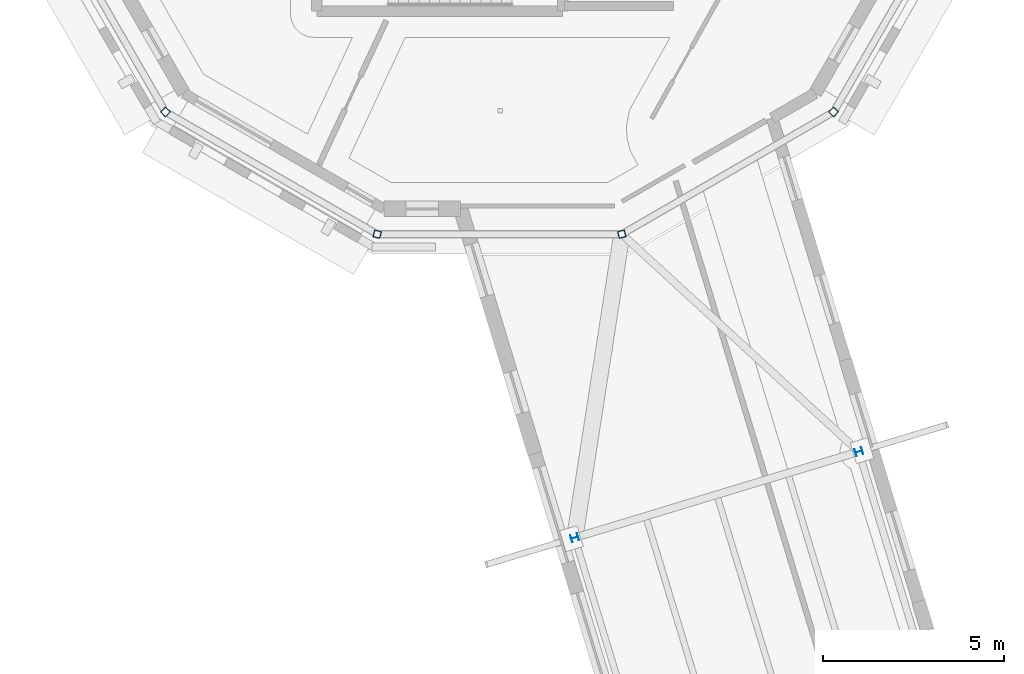
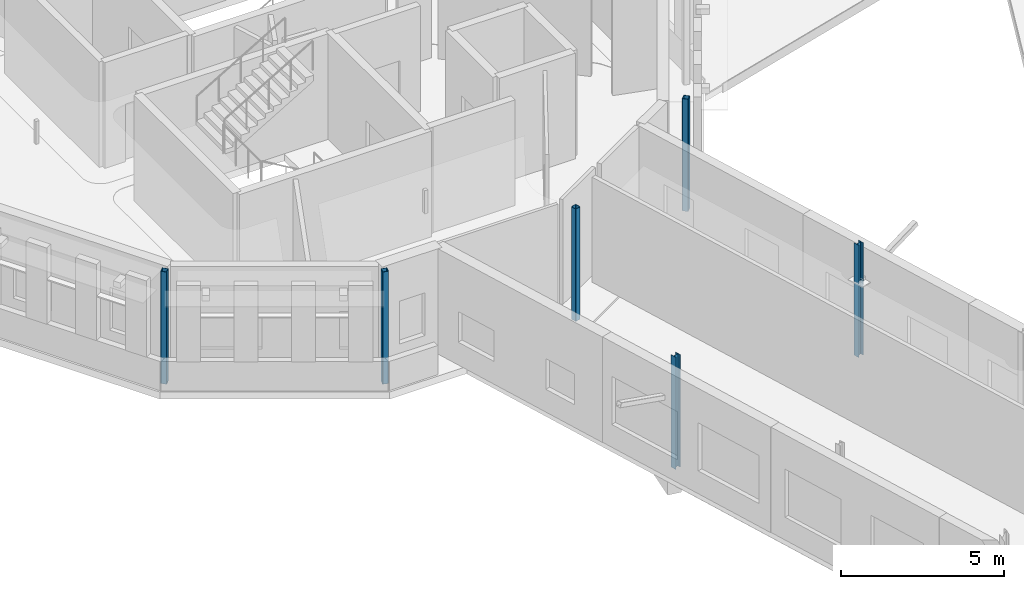
# One storey, part 5 of 90: 6 columns.
"""IFC4 building model written with IfcOpenShell, lengths in metres."""

from ifc_helpers import new_model, si_unit, direction, frame, origin, origin_2d, place, context, subcontext, project, spatial, hollow_rectangle, i_section, extrude, material, material_profile, profile_set, type_object, element, save


model = new_model("IFC4")

# Units and contexts
model_context = context("Model", 3, precision=1e-05, world=origin(), true_north=direction((0.0, 1.0)))
body_context = subcontext(model_context, "Body", "Model", "MODEL_VIEW")
ifc_project = project(units=[si_unit("LENGTHUNIT", "METRE"), si_unit("AREAUNIT", "SQUARE_METRE"), si_unit("VOLUMEUNIT", "CUBIC_METRE"), si_unit("PLANEANGLEUNIT", "RADIAN"), si_unit("MASSUNIT", "GRAM", prefix="KILO")], contexts=[model_context])

# Site, building, storey
site_placement = place(None, origin())
site = spatial("IfcSite", under=ifc_project, at=site_placement, CompositionType="ELEMENT")
building_placement = place(site_placement, origin())
building = spatial("IfcBuilding", under=site, at=building_placement, Name="Wrenclough Park School", CompositionType="ELEMENT")
storey_placement = place(building_placement, frame((0.0, 0.0, 8.39990234375)))
storey = spatial("IfcBuildingStorey", under=building, at=storey_placement, Name="L02", CompositionType="ELEMENT", Elevation=8.39990234375)

# Columns
ifc_material = material(Name="Structural steel S355", Category="steel")
ifc_material_profile_1 = material_profile(ifc_material, hollow_rectangle(XDim=0.199951171875, YDim=0.199951171875, WallThickness=0.012451171875, InnerFilletRadius=0.012451171875, OuterFilletRadius=0.018798828125, at=origin_2d()), Name="SHS 200x200x12.5")
ifc_profile_set_1 = profile_set([ifc_material_profile_1], Name="Structural steel S355")
column_type_1 = type_object("IfcColumnType", Name="STR-COL-SHS200", PredefinedType="COLUMN", material=ifc_profile_set_1)
for number, where, z_axis, x_axis, name in (
    (1, (7.272216796875, 80.272216796875, 0.0), (0.0, 0.0, 1.0), (0.707106781187, -0.707106781187, 0.0), "D3 L02 column D3-OUT-08"),
    (2, (13.122314453125, 76.894775390625, 0.0), (0.0, 0.0, 1.0), (0.965925826289, -0.258819045103, 0.0), "D3 L02 column D3-OUT-09"),
    (3, (19.877685546875, 76.894775390625, 0.0), (0.0, 0.0, 1.0), (0.965925826289, 0.258819045103, 0.0), "D3 L02 column D3-OUT-10"),
    (4, (25.727783203125, 80.272216796875, 0.0), (0.0, 0.0, 1.0), (0.707106781187, 0.707106781187, 0.0), "D3 L02 column D3-OUT-11"),
):
    element("IfcColumn", number, at=place(storey_placement, frame(where, z_axis=z_axis, x_axis=x_axis)), inside=storey, type_object=column_type_1, Name=name, PredefinedType="COLUMN", context=body_context, shape_type="SweptSolid", body=[
        extrude(hollow_rectangle(XDim=0.199951171875, YDim=0.199951171875, WallThickness=0.012451171875, InnerFilletRadius=0.012451171875, OuterFilletRadius=0.018798828125, at=origin_2d()), origin(), (0.0, 0.0, 1.0), 4.2001953125),
    ])
ifc_material_profile_2 = material_profile(ifc_material, i_section(OverallWidth=0.20361328125, OverallDepth=0.203125, WebThickness=0.007080078125, FlangeThickness=0.010986328125, FilletRadius=0.01025390625, at=origin_2d()), Name="UKC 203x203x46")
ifc_profile_set_2 = profile_set([ifc_material_profile_2], Name="Structural steel S355")
column_type_2 = type_object("IfcColumnType", Name="STR-COL-UKC203A", PredefinedType="COLUMN", material=ifc_profile_set_2)
for number, where, z_axis, x_axis, name in (
    (5, (18.576171875, 68.510986328125, 0.0), (0.0, 0.0, 1.0), (-0.290034140915, 0.957016299288, 0.0), "W23 L02 column W23-C1-L07"),
    (6, (26.423828125, 70.888916015625, 0.0), (0.0, 0.0, 1.0), (-0.290034140915, 0.957016299288, 0.0), "W23 L02 column W23-C1-R07"),
):
    element("IfcColumn", number, at=place(storey_placement, frame(where, z_axis=z_axis, x_axis=x_axis)), inside=storey, type_object=column_type_2, Name=name, PredefinedType="COLUMN", context=body_context, shape_type="SweptSolid", body=[
        extrude(i_section(OverallWidth=0.20361328125, OverallDepth=0.203125, WebThickness=0.007080078125, FlangeThickness=0.010986328125, FilletRadius=0.01025390625, at=origin_2d()), origin(), (0.0, 0.0, 1.0), 4.2001953125),
    ])

save(model, "model.ifc")
